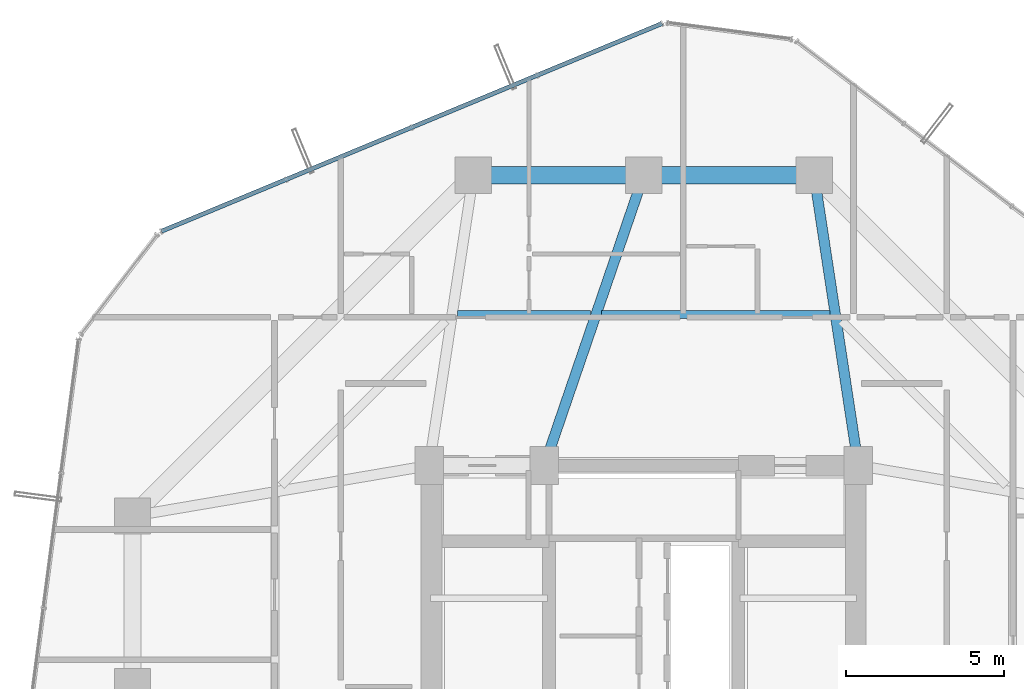
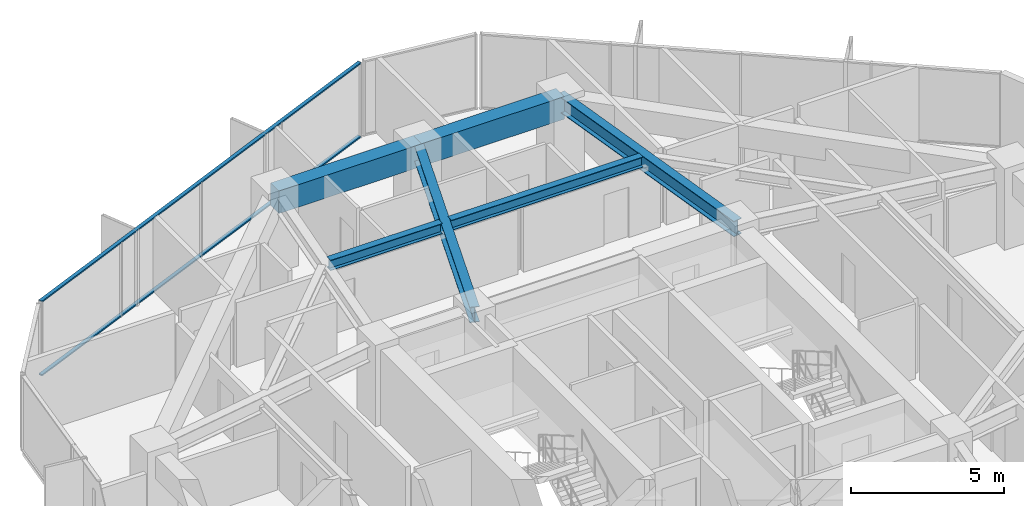
# One storey, part 19 of 30: 6 beams, 2 members, 1 element without a shape of its own.
"""IFC4 building model written with IfcOpenShell, lengths in metres."""

import ifcopenshell
import ifcopenshell.guid

model = None  # the IFC model being written
_history = None  # IfcOwnerHistory: only IFC2X3 demands one
_inside = {}  # id of a spatial element -> (the spatial element, [elements in it])
_under = {}  # id of a project, library or spatial element -> (it, [spatial elements below it])
_declared = {}  # id of a project -> (the project, [libraries it declares])
_typed = {}  # id of a type object -> (the type object, [elements of that type])
_made_of = {}  # id of a material, layer set ... -> (it, [elements and type objects made of it])


def new_model(schema):
    """Start an empty IFC model of exactly this schema.

    Asked for "IFC4X3", IfcOpenShell would pick the latest addendum, in which some entities
    have other attributes; the version numbers below select the first issue.
    IFC2X3 requires an IfcOwnerHistory on every rooted entity: one is made here for all.
    """
    global model, _history
    if schema == "IFC4X3":
        model = ifcopenshell.file(schema_version=(4, 3, 0, 0))
    else:
        model = ifcopenshell.file(schema=schema)
    _inside.clear()
    _under.clear()
    _declared.clear()
    _typed.clear()
    _made_of.clear()
    _history = None
    if model.schema == "IFC2X3":
        org = make("IfcOrganization", Name="unknown")
        user = make(
            "IfcPersonAndOrganization",
            ThePerson=make("IfcPerson", FamilyName="unknown"),
            TheOrganization=org,
        )
        app = make(
            "IfcApplication",
            ApplicationDeveloper=org,
            Version="unknown",
            ApplicationFullName="unknown",
            ApplicationIdentifier="unknown",
        )
        _history = make(
            "IfcOwnerHistory",
            OwningUser=user,
            OwningApplication=app,
            ChangeAction="ADDED",
            CreationDate=0,
        )
    return model


def make(cls, **values):
    """One entity of the class cls with the attributes given. An attribute that is None is left unset."""
    return model.create_entity(
        cls, **{name: value for name, value in values.items() if value is not None}
    )


def rooted(cls, **values):
    """An entity with a GlobalId (a new one), such as an element, a storey or a relation."""
    return make(cls, GlobalId=ifcopenshell.guid.new(), OwnerHistory=_history, **values)


def si_unit(unit_type, name, prefix=None):
    """IfcSIUnit, for example si_unit("LENGTHUNIT", "METRE", prefix="MILLI")."""
    return make("IfcSIUnit", UnitType=unit_type, Prefix=prefix, Name=name)


def assignment(units):
    """IfcUnitAssignment: the units of a project."""
    return None if units is None else make("IfcUnitAssignment", Units=units)


def point(xyz):
    """IfcCartesianPoint."""
    return None if xyz is None else make("IfcCartesianPoint", Coordinates=xyz)


def direction(xyz):
    """IfcDirection."""
    return None if xyz is None else make("IfcDirection", DirectionRatios=xyz)


def frame(location, z_axis=None, x_axis=None):
    """IfcAxis2Placement3D, a coordinate frame: its origin and axes. An axis left out is left unset."""
    return make(
        "IfcAxis2Placement3D",
        Location=point(location),
        Axis=direction(z_axis),
        RefDirection=direction(x_axis),
    )


def frame_2d(location, x_axis=None):
    """IfcAxis2Placement2D, a coordinate frame in the plane: its origin and x axis."""
    return make(
        "IfcAxis2Placement2D", Location=point(location), RefDirection=direction(x_axis)
    )


def origin():
    """The frame at (0, 0, 0) with its axes left unset."""
    return frame((0.0, 0.0, 0.0))


def origin_2d():
    """The frame at (0, 0) in the plane with its x axis left unset."""
    return frame_2d((0.0, 0.0))


def place(relative_to, where):
    """IfcLocalPlacement: puts the frame where relative to a parent placement (None: the world)."""
    return make(
        "IfcLocalPlacement", PlacementRelTo=relative_to, RelativePlacement=where
    )


def context(
    kind, dimensions, precision=None, world=None, true_north=None, identifier=None
):
    """IfcGeometricRepresentationContext, for example the 3D "Model" context."""
    return make(
        "IfcGeometricRepresentationContext",
        ContextIdentifier=identifier,
        ContextType=kind,
        CoordinateSpaceDimension=dimensions,
        Precision=precision,
        WorldCoordinateSystem=world,
        TrueNorth=true_north,
    )


def subcontext(parent, identifier, kind, view, scale=None):
    """IfcGeometricRepresentationSubContext, for example "Body" below "Model"."""
    return make(
        "IfcGeometricRepresentationSubContext",
        ContextIdentifier=identifier,
        ContextType=kind,
        ParentContext=parent,
        TargetScale=scale,
        TargetView=view,
    )


def project(units=None, contexts=None):
    """IfcProject with its units and contexts."""
    return rooted(
        "IfcProject",
        Name="project",
        RepresentationContexts=contexts,
        UnitsInContext=assignment(units),
    )


def spatial(cls, under=None, at=None, **own):
    """A site, building, storey or space (cls), placed at a placement, below another one or the project."""
    s = rooted(cls, ObjectPlacement=at, **own)
    if under is not None:
        _under.setdefault(under.id(), (under, []))[1].append(s)
    return s


def profile(cls, at=None, kind="AREA", **sizes):
    """A parametric profile (cls). Its sizes go by their IFC names, for example OverallWidth=200.0."""
    return make(cls, ProfileType=kind, Position=at, **sizes)


def rectangle(**sizes):
    """IfcRectangleProfileDef."""
    return profile("IfcRectangleProfileDef", **sizes)


def hollow_rectangle(**sizes):
    """IfcRectangleHollowProfileDef."""
    return profile("IfcRectangleHollowProfileDef", **sizes)


def i_section(**sizes):
    """IfcIShapeProfileDef."""
    return profile("IfcIShapeProfileDef", **sizes)


def extrude(swept, where, along, depth):
    """IfcExtrudedAreaSolid: the profile swept, set in the frame where, extruded along a direction by depth."""
    return make(
        "IfcExtrudedAreaSolid",
        SweptArea=swept,
        Position=where,
        ExtrudedDirection=direction(along),
        Depth=depth,
    )


def shape(context_of_items, identifier, shape_type, items):
    """IfcShapeRepresentation: the items that make up one representation, for example the "Body"."""
    return make(
        "IfcShapeRepresentation",
        ContextOfItems=context_of_items,
        RepresentationIdentifier=identifier,
        RepresentationType=shape_type,
        Items=items,
    )


def source(mapping_origin, context_of_items, identifier, shape_type, items):
    """IfcRepresentationMap: a shape defined once, which mapped items show again and again."""
    return make(
        "IfcRepresentationMap",
        MappingOrigin=mapping_origin,
        MappedRepresentation=shape(context_of_items, identifier, shape_type, items),
    )


def transform(
    local_origin,
    x_axis=None,
    y_axis=None,
    z_axis=None,
    scale=None,
    scale2=None,
    scale3=None,
    uniform=True,
):
    """IfcCartesianTransformationOperator3D, or its non-uniform kind. x_axis, y_axis, z_axis: its Axis1, 2, 3."""
    if uniform:
        return make(
            "IfcCartesianTransformationOperator3D",
            Axis1=direction(x_axis),
            Axis2=direction(y_axis),
            LocalOrigin=point(local_origin),
            Scale=scale,
            Axis3=direction(z_axis),
        )
    return make(
        "IfcCartesianTransformationOperator3DnonUniform",
        Axis1=direction(x_axis),
        Axis2=direction(y_axis),
        LocalOrigin=point(local_origin),
        Scale=scale,
        Axis3=direction(z_axis),
        Scale2=scale2,
        Scale3=scale3,
    )


def mapped(mapping_source, mapping_target):
    """IfcMappedItem: shows the shape of a source again, moved by a transform."""
    return make(
        "IfcMappedItem", MappingSource=mapping_source, MappingTarget=mapping_target
    )


def material(Name=None, Category=None):
    """IfcMaterial."""
    return make("IfcMaterial", Name=Name, Category=Category)


def layer(
    of_material, thickness, ventilated=None, Name=None, Category=None, Priority=None
):
    """IfcMaterialLayer: one layer of a wall or slab, of a material (None: an air gap)."""
    return make(
        "IfcMaterialLayer",
        Material=of_material,
        LayerThickness=thickness,
        IsVentilated=ventilated,
        Name=Name,
        Category=Category,
        Priority=Priority,
    )


def layer_set(layers, Name=None):
    """IfcMaterialLayerSet."""
    return make("IfcMaterialLayerSet", MaterialLayers=layers, LayerSetName=Name)


def material_profile(
    of_material, cross_section, Name=None, Category=None, Priority=None
):
    """IfcMaterialProfile: a cross section and its material."""
    return make(
        "IfcMaterialProfile",
        Name=Name,
        Material=of_material,
        Profile=cross_section,
        Priority=Priority,
        Category=Category,
    )


def profile_set(profiles, Name=None, composite=None):
    """IfcMaterialProfileSet."""
    return make(
        "IfcMaterialProfileSet",
        Name=Name,
        MaterialProfiles=profiles,
        CompositeProfile=composite,
    )


def made_of(thing, what):
    """Note that an element or type object is made of a material, layer set ...; save() writes the relation."""
    if what is not None:
        _made_of.setdefault(what.id(), (what, []))[1].append(thing)
    return thing


def type_object(cls, material=None, **own):
    """A type object (cls), such as IfcWallType, which elements share."""
    return made_of(rooted(cls, **own), material)


def element(
    cls,
    number,
    at=None,
    inside=None,
    cuts=None,
    type_object=None,
    material=None,
    context=None,
    identifier="Body",
    shape_type=None,
    held_by="IfcProductDefinitionShape",
    body=None,
    shapes=None,
    **own,
):
    """One element of the class cls, such as IfcWall. Its Tag is "e" and its number.

    at: its placement. inside: the storey or other place that contains it. cuts: it is an
    opening in that element (IfcRelVoidsElement). A single representation is given by context,
    identifier, shape_type and body (its items); several are given by shapes. held_by: the class
    of the entity that holds the representations. save() writes the other relations.
    """
    e = rooted(cls, Tag="e%d" % number, ObjectPlacement=at, **own)
    if body is not None:
        shapes = [shape(context, identifier, shape_type, body)]
    if shapes is not None:
        e.Representation = make(held_by, Representations=shapes)
    if inside is not None:
        _inside.setdefault(inside.id(), (inside, []))[1].append(e)
    if cuts is not None:
        rooted(
            "IfcRelVoidsElement", RelatingBuildingElement=cuts, RelatedOpeningElement=e
        )
    if type_object is not None:
        _typed.setdefault(type_object.id(), (type_object, []))[1].append(e)
    return made_of(e, material)


def aggregate(whole, parts):
    """IfcRelAggregates: a whole, such as a stair, and the parts it consists of."""
    return rooted("IfcRelAggregates", RelatingObject=whole, RelatedObjects=parts)


def save(model, path):
    """Write the relations noted so far, then the file.

    IfcRelAggregates (storeys below a building ...), IfcRelContainedInSpatialStructure (elements
    in a storey), IfcRelDefinesByType, IfcRelAssociatesMaterial and IfcRelDeclares: one each for
    every whole, place, type object, material and project.
    """
    for whole, parts in _under.values():
        aggregate(whole, parts)
    for where, things in _inside.values():
        rooted(
            "IfcRelContainedInSpatialStructure",
            RelatedElements=things,
            RelatingStructure=where,
        )
    for kind, things in _typed.values():
        rooted("IfcRelDefinesByType", RelatedObjects=things, RelatingType=kind)
    for what, things in _made_of.values():
        rooted("IfcRelAssociatesMaterial", RelatedObjects=things, RelatingMaterial=what)
    for by, libraries in _declared.values():
        rooted("IfcRelDeclares", RelatingContext=by, RelatedDefinitions=libraries)
    model.write(path)


model = new_model("IFC4")

# Units and contexts
model_context = context("Model", 3, precision=1e-05, world=origin(), true_north=direction((0.0, 1.0)))
body_context = subcontext(model_context, "Body", "Model", "MODEL_VIEW")
ifc_project = project(units=[si_unit("LENGTHUNIT", "METRE"), si_unit("AREAUNIT", "SQUARE_METRE"), si_unit("VOLUMEUNIT", "CUBIC_METRE"), si_unit("PLANEANGLEUNIT", "RADIAN"), si_unit("MASSUNIT", "GRAM", prefix="KILO")], contexts=[model_context])

# Site, building, storey
site_placement = place(None, origin())
site = spatial("IfcSite", under=ifc_project, at=site_placement, CompositionType="ELEMENT")
building_placement = place(site_placement, origin())
building = spatial("IfcBuilding", under=site, at=building_placement, Name="Veraguas Prism Commons", CompositionType="ELEMENT")
storey_placement = place(building_placement, frame((0.0, 0.0, 102.449951171875)))
storey = spatial("IfcBuildingStorey", under=building, at=storey_placement, Name="L28", CompositionType="ELEMENT", Elevation=102.449951171875)

# Beams
ifc_material_1 = material(Name="Steel ASTM A992 Grade 50", Category="steel")
ifc_material_profile_1 = material_profile(ifc_material_1, i_section(OverallWidth=0.260986328125, OverallDepth=0.419921875, WebThickness=0.01171875, FlangeThickness=0.019287109375, at=origin_2d()), Name="W410X114")
ifc_profile_set_1 = profile_set([ifc_material_profile_1], Name="Steel ASTM A992 Grade 50")
beam_type_1 = type_object("IfcBeamType", Name="Lower Floor Joist W410x114", PredefinedType="JOIST", material=ifc_profile_set_1)
beam_1_placement = place(storey_placement, frame((29.908203125, 35.783935546875, 2.7900390625), z_axis=(-1.0, 0.0, 0.0), x_axis=(0.0, -1.0, 0.0)))
element("IfcBeam", 1, at=beam_1_placement, inside=storey, type_object=beam_type_1, Name="Composite Floor Joist L28-JS04", PredefinedType="JOIST", context=body_context, shape_type="SweptSolid", body=[
    extrude(i_section(OverallWidth=0.260986328125, OverallDepth=0.419921875, WebThickness=0.01171875, FlangeThickness=0.019287109375, at=origin_2d()), origin(), (0.0, 0.0, 1.0), 7.2490234375),
])
beam_2_placement = place(storey_placement, frame((22.31689453125, 35.783935546875, 2.7900390625), z_axis=(-1.0, 0.0, 0.0), x_axis=(0.0, -1.0, 0.0)))
element("IfcBeam", 2, at=beam_2_placement, inside=storey, type_object=beam_type_1, Name="Composite Floor Joist L28-JS05", PredefinedType="JOIST", context=body_context, shape_type="SweptSolid", body=[
    extrude(i_section(OverallWidth=0.260986328125, OverallDepth=0.419921875, WebThickness=0.01171875, FlangeThickness=0.019287109375, at=origin_2d()), origin(), (0.0, 0.0, 1.0), 4.22509765625),
])
ifc_material_2 = material(Name="Concrete C50/60", Category="concrete")
ifc_material_profile_2 = material_profile(ifc_material_2, rectangle(XDim=0.550048828125, YDim=0.89990234375, at=origin_2d()), Name="RC550X900")
ifc_profile_set_2 = profile_set([ifc_material_profile_2], Name="Concrete C50/60")
beam_type_2 = type_object("IfcBeamType", Name="Perimeter Spandrel Lower RC 550x900", PredefinedType="SPANDREL", material=ifc_profile_set_2)
for number, where, z_axis, x_axis, name in (
    (3, (29.39990234375, 40.199951171875, 2.550048828125), (-1.0, 0.0, 0.0), (0.0, -1.0, 0.0), "Perimeter Spandrel Beam L28-SP04"),
    (4, (24.0, 40.199951171875, 2.550048828125), (-1.0, 0.0, 0.0), (0.0, -1.0, 0.0), "Perimeter Spandrel Beam L28-SP05"),
):
    element("IfcBeam", number, at=place(storey_placement, frame(where, z_axis=z_axis, x_axis=x_axis)), inside=storey, type_object=beam_type_2, Name=name, PredefinedType="SPANDREL", context=body_context, shape_type="SweptSolid", body=[
        extrude(rectangle(XDim=0.550048828125, YDim=0.89990234375, at=origin_2d()), origin(), (0.0, 0.0, 1.0), 5.39990234375),
    ])
ifc_material_profile_3 = material_profile(ifc_material_1, i_section(OverallWidth=0.327880859375, OverallDepth=0.6220703125, WebThickness=0.015380859375, FlangeThickness=0.0244140625, at=origin_2d()), Name="W610X195")
ifc_profile_set_3 = profile_set([ifc_material_profile_3], Name="Steel ASTM A992 Grade 50")
beam_type_3 = type_object("IfcBeamType", Name="Zone 2 Radial Girder W610x195", PredefinedType="BEAM", material=ifc_profile_set_3)
beam_3_placement = place(storey_placement, frame((29.39990234375, 40.199951171875, 2.68896484375), z_axis=(0.150458162136, -0.98861637729, 0.0), x_axis=(0.98861637729, 0.150458162136, 0.0)))
element("IfcBeam", 5, at=beam_3_placement, inside=storey, type_object=beam_type_3, Name="Radial Floor Girder L28-RD04", PredefinedType="BEAM", context=body_context, shape_type="SweptSolid", body=[
    extrude(i_section(OverallWidth=0.327880859375, OverallDepth=0.6220703125, WebThickness=0.015380859375, FlangeThickness=0.0244140625, at=origin_2d()), origin(), (0.0, 0.0, 1.0), 9.305908203125),
])
beam_4_placement = place(storey_placement, frame((24.0, 40.199951171875, 2.68896484375), z_axis=(-0.323922482989, -0.946083624747, 0.0), x_axis=(0.946083624747, -0.323922482989, 0.0)))
element("IfcBeam", 6, at=beam_4_placement, inside=storey, type_object=beam_type_3, Name="Radial Floor Girder L28-RD05", PredefinedType="BEAM", context=body_context, shape_type="SweptSolid", body=[
    extrude(i_section(OverallWidth=0.327880859375, OverallDepth=0.6220703125, WebThickness=0.015380859375, FlangeThickness=0.0244140625, at=origin_2d()), origin(), (0.0, 0.0, 1.0), 9.724365234375),
])

# Curtain wall, members
ifc_material_3 = material(Name="Anodised aluminium EN AW-6063 T6", Category="aluminium")
ifc_layer = layer(ifc_material_3, 0.169921875, Name="Unitised Flush Curtain Wall Zone 2", Category="aluminium")
ifc_layer_set = layer_set([ifc_layer], Name="Anodised aluminium EN AW-6063 T6")
curtain_wall_type = type_object("IfcCurtainWallType", Name="Unitised Flush Curtain Wall Zone 2", PredefinedType="NOTDEFINED", material=ifc_layer_set)
curtain_wall_placement = place(storey_placement, origin())
curtain_wall = element("IfcCurtainWall", 7, at=curtain_wall_placement, inside=storey, type_object=curtain_wall_type, Name="Tower Facade Curtain Wall L28-F2", PredefinedType="NOTDEFINED")
ifc_material_profile_4 = material_profile(ifc_material_3, hollow_rectangle(XDim=0.054931640625, YDim=0.135009765625, WallThickness=0.0029296875, at=origin_2d()), Name="AL55X135X3")
ifc_profile_set_4 = profile_set([ifc_material_profile_4], Name="Anodised aluminium EN AW-6063 T6")
member_type = type_object("IfcMemberType", Name="Curtain Wall Transom Standard AL 55x135x3", PredefinedType="USERDEFINED", material=ifc_profile_set_4)
shared_shape = source(origin(), body_context, "Body", "SweptSolid", [
    extrude(hollow_rectangle(XDim=0.054931640625, YDim=0.135009765625, WallThickness=0.0029296875, at=origin_2d()), origin(), (0.0, 0.0, 1.0), 17.174560546875),
])
member_1_placement = place(storey_placement, frame((24.578125, 45.0087890625, 0.027587890625), z_axis=(-0.923611416074, -0.383330082432, 0.0), x_axis=(0.0, 0.0, 1.0)))
member_1 = element("IfcMember", 8, at=member_1_placement, type_object=member_type, Name="CW-Z2 Transom 1", ObjectType="TRANSOM", PredefinedType="USERDEFINED", context=body_context, shape_type="MappedRepresentation", body=[
    mapped(shared_shape, transform((0.0, 0.0, 0.0), scale=1.0)),
])
member_2_placement = place(storey_placement, frame((24.578125, 45.0087890625, 2.97265625), z_axis=(-0.923611416074, -0.383330082432, 0.0), x_axis=(0.0, 0.0, 1.0)))
member_2 = element("IfcMember", 9, at=member_2_placement, type_object=member_type, Name="CW-Z2 Transom 2", ObjectType="TRANSOM", PredefinedType="USERDEFINED", context=body_context, shape_type="MappedRepresentation", body=[
    mapped(shared_shape, transform((0.0, 0.0, 0.0), scale=1.0)),
])
aggregate(curtain_wall, [member_1, member_2])

save(model, "model.ifc")
